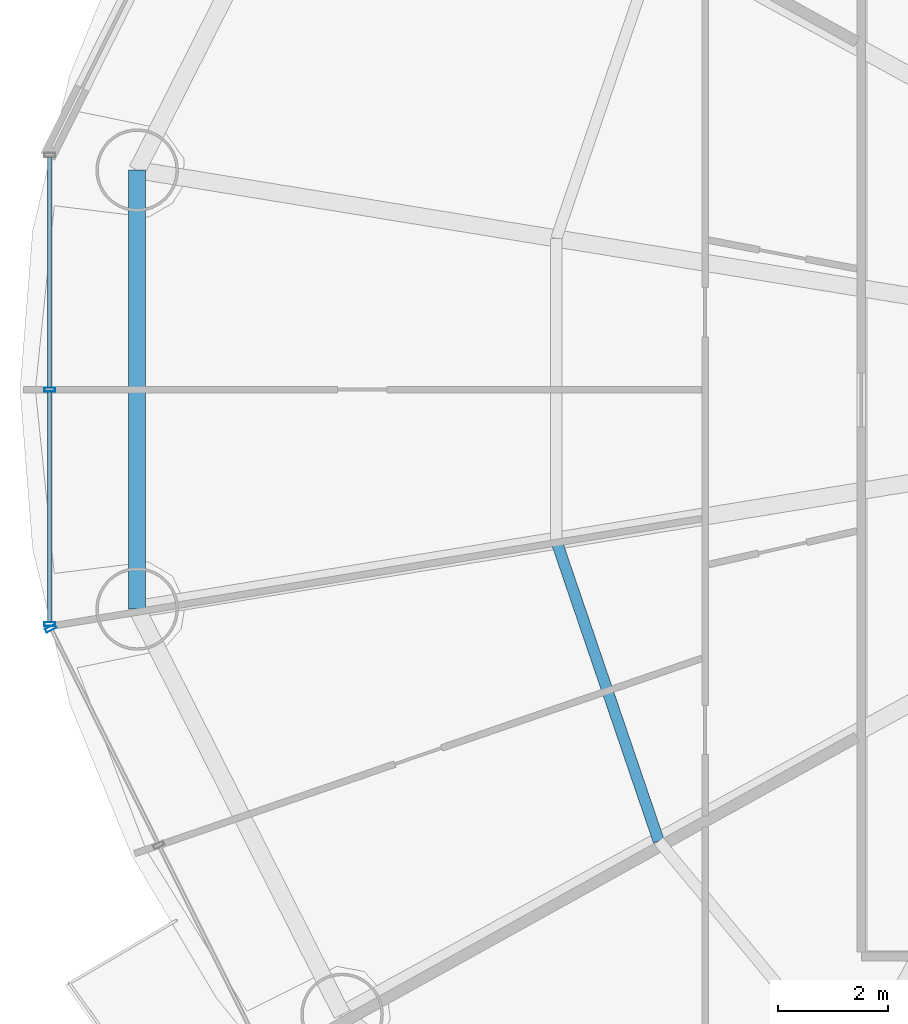
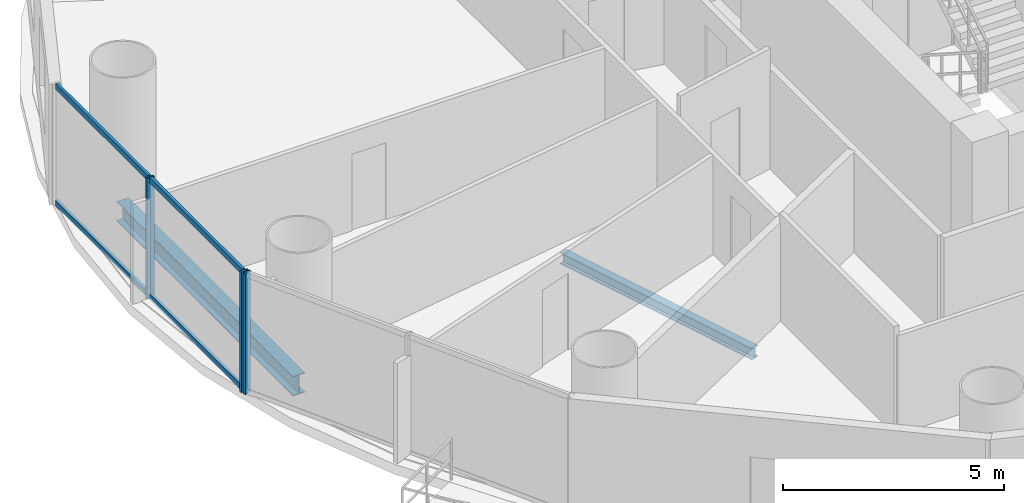
# One storey, part 6 of 28: 7 members, 2 beams, 2 elements without a shape of their own.
"""IFC4 building model written with IfcOpenShell, lengths in metres."""

from ifc_helpers import new_model, si_unit, direction, frame, origin, origin_2d, place, context, subcontext, project, spatial, hollow_rectangle, i_section, extrude, source, transform, mapped, material, material_profile, profile_set, type_object, element, aggregate, save


model = new_model("IFC4")

# Units and contexts
model_context = context("Model", 3, precision=1e-05, world=origin(), true_north=direction((-0.2419218956, 0.970295726276)))
body_context = subcontext(model_context, "Body", "Model", "MODEL_VIEW")
ifc_project = project(units=[si_unit("LENGTHUNIT", "METRE"), si_unit("AREAUNIT", "SQUARE_METRE"), si_unit("VOLUMEUNIT", "CUBIC_METRE"), si_unit("PLANEANGLEUNIT", "RADIAN"), si_unit("MASSUNIT", "GRAM", prefix="KILO")], contexts=[model_context])

# Site, building, storey
site_placement = place(None, origin())
site = spatial("IfcSite", under=ifc_project, at=site_placement, CompositionType="ELEMENT")
building_placement = place(site_placement, origin())
building = spatial("IfcBuilding", under=site, at=building_placement, Name="Cobrevalo Terracotta Tower", CompositionType="ELEMENT")
storey_placement = place(building_placement, frame((0.0, 0.0, 105.0)))
storey = spatial("IfcBuildingStorey", under=building, at=storey_placement, Name="L27", CompositionType="ELEMENT", Elevation=105.0)

# Beams
ifc_material_1 = material(Name="Steel S355", Category="steel")
ifc_material_profile_1 = material_profile(ifc_material_1, i_section(OverallWidth=0.2041015625, OverallDepth=0.305908203125, WebThickness=0.008544921875, FlangeThickness=0.0146484375, at=origin_2d()), Name="W 310x67")
ifc_profile_set_1 = profile_set([ifc_material_profile_1], Name="Steel S355")
beam_type_1 = type_object("IfcBeamType", Name="Structural Joist W 310x67 (Steel S355)", PredefinedType="JOIST", material=ifc_profile_set_1)
beam_1_placement = place(storey_placement, frame((21.149658203125, 24.052734375, -0.427978515625), z_axis=(0.322846227919, -0.946451431991, 0.0), x_axis=(0.946451431991, 0.322846227919, 0.0)))
element("IfcBeam", 1, at=beam_1_placement, inside=storey, type_object=beam_type_1, Name="L27 circumferential secondary floor joist 09", PredefinedType="JOIST", context=body_context, shape_type="SweptSolid", body=[
    extrude(i_section(OverallWidth=0.2041015625, OverallDepth=0.305908203125, WebThickness=0.008544921875, FlangeThickness=0.0146484375, at=origin_2d()), origin(), (0.0, 0.0, 1.0), 5.77001953125),
])
ifc_material_profile_2 = material_profile(ifc_material_1, i_section(OverallWidth=0.31201171875, OverallDepth=0.54296875, WebThickness=0.0126953125, FlangeThickness=0.020263671875, at=origin_2d()), Name="W 530x150")
ifc_profile_set_2 = profile_set([ifc_material_profile_2], Name="Steel S355")
beam_type_2 = type_object("IfcBeamType", Name="Structural Spandrel W 530x150 (Steel S355)", PredefinedType="SPANDREL", material=ifc_profile_set_2)
beam_2_placement = place(storey_placement, frame((13.529296875, 30.78955078125, -0.54638671875), z_axis=(0.0, -1.0, 0.0), x_axis=(1.0, 0.0, 0.0)))
element("IfcBeam", 2, at=beam_2_placement, inside=storey, type_object=beam_type_2, Name="L27 perimeter ring spandrel 08", PredefinedType="SPANDREL", context=body_context, shape_type="SweptSolid", body=[
    extrude(i_section(OverallWidth=0.31201171875, OverallDepth=0.54296875, WebThickness=0.0126953125, FlangeThickness=0.020263671875, at=origin_2d()), origin(), (0.0, 0.0, 1.0), 7.979248046875),
])

# Curtain wall, members
ifc_material_2 = material(Name="Anodized aluminium", Category="aluminium")
curtain_wall_type = type_object("IfcCurtainWallType", Name="Lower-tower unitised acoustic low-E curtain wall CW-U1", PredefinedType="NOTDEFINED", material=ifc_material_2)
curtain_wall_1_placement = place(storey_placement, origin())
curtain_wall_1 = element("IfcCurtainWall", 3, at=curtain_wall_1_placement, inside=storey, type_object=curtain_wall_type, Name="L27 curtain wall CW-L27-S08", PredefinedType="NOTDEFINED")
ifc_material_profile_3 = material_profile(ifc_material_2, hollow_rectangle(XDim=0.074951171875, YDim=0.14990234375, WallThickness=0.00439453125, at=origin_2d()), Name="CWT 75x150")
ifc_profile_set_3 = profile_set([ifc_material_profile_3], Name="Anodized aluminium")
member_type_1 = type_object("IfcMemberType", Name="Tower unitised aluminium transom 75x150", PredefinedType="USERDEFINED", material=ifc_profile_set_3)
shared_shape_1 = source(origin(), body_context, "Body", "SweptSolid", [
    extrude(hollow_rectangle(XDim=0.074951171875, YDim=0.14990234375, WallThickness=0.00439453125, at=origin_2d()), origin(), (0.0, 0.0, 1.0), 4.185546875),
])
member_1_placement = place(storey_placement, frame((11.9404296875, 31.025634765625, 0.050048828125), z_axis=(0.0, -1.0, 0.0), x_axis=(1.0, 0.0, 0.0)))
member_1 = element("IfcMember", 4, at=member_1_placement, type_object=member_type_1, Name="CW-L27-S08 transom B01-T1", ObjectType="TRANSOM", PredefinedType="USERDEFINED", context=body_context, shape_type="MappedRepresentation", body=[
    mapped(shared_shape_1, transform((0.0, 0.0, 0.0), scale=1.0)),
])
member_2_placement = place(storey_placement, frame((11.9404296875, 31.025634765625, 3.27490234375), z_axis=(0.0, -1.0, 0.0), x_axis=(1.0, 0.0, 0.0)))
member_2 = element("IfcMember", 5, at=member_2_placement, type_object=member_type_1, Name="CW-L27-S08 transom B01-T2", ObjectType="TRANSOM", PredefinedType="USERDEFINED", context=body_context, shape_type="MappedRepresentation", body=[
    mapped(shared_shape_1, transform((0.0, 0.0, 0.0), scale=1.0)),
])
member_3_placement = place(storey_placement, frame((11.9404296875, 26.760009765625, 0.050048828125), z_axis=(0.0, -1.0, 0.0), x_axis=(1.0, 0.0, 0.0)))
member_3 = element("IfcMember", 6, at=member_3_placement, type_object=member_type_1, Name="CW-L27-S08 transom B02-T1", ObjectType="TRANSOM", PredefinedType="USERDEFINED", context=body_context, shape_type="MappedRepresentation", body=[
    mapped(shared_shape_1, transform((0.0, 0.0, 0.0), scale=1.0)),
])
member_4_placement = place(storey_placement, frame((11.9404296875, 26.760009765625, 3.27490234375), z_axis=(0.0, -1.0, 0.0), x_axis=(1.0, 0.0, 0.0)))
member_4 = element("IfcMember", 7, at=member_4_placement, type_object=member_type_1, Name="CW-L27-S08 transom B02-T2", ObjectType="TRANSOM", PredefinedType="USERDEFINED", context=body_context, shape_type="MappedRepresentation", body=[
    mapped(shared_shape_1, transform((0.0, 0.0, 0.0), scale=1.0)),
])
ifc_material_profile_4 = material_profile(ifc_material_2, hollow_rectangle(XDim=0.074951171875, YDim=0.199951171875, WallThickness=0.0048828125, at=origin_2d()), Name="CWM 75x200")
ifc_profile_set_4 = profile_set([ifc_material_profile_4], Name="Anodized aluminium")
member_type_2 = type_object("IfcMemberType", Name="Lower/mid tower unitised mullion 75x200", PredefinedType="MULLION", material=ifc_profile_set_4)
shared_shape_2 = source(origin(), body_context, "Body", "SweptSolid", [
    extrude(hollow_rectangle(XDim=0.074951171875, YDim=0.199951171875, WallThickness=0.0048828125, at=origin_2d()), origin(), (0.0, 0.0, 1.0), 3.324951171875),
])
member_5_placement = place(storey_placement, frame((11.9404296875, 26.800048828125, 0.0), z_axis=(0.0, 0.0, 1.0), x_axis=(0.0, -1.0, 0.0)))
member_5 = element("IfcMember", 8, at=member_5_placement, type_object=member_type_2, Name="CW-L27-S08 vertical mullion 02", PredefinedType="MULLION", context=body_context, shape_type="MappedRepresentation", body=[
    mapped(shared_shape_2, transform((0.0, 0.0, 0.0), scale=1.0)),
])
member_6_placement = place(storey_placement, frame((11.9404296875, 22.534423828125, 0.0), z_axis=(0.0, 0.0, 1.0), x_axis=(0.0, -1.0, 0.0)))
member_6 = element("IfcMember", 9, at=member_6_placement, type_object=member_type_2, Name="CW-L27-S08 vertical mullion 03", PredefinedType="MULLION", context=body_context, shape_type="MappedRepresentation", body=[
    mapped(shared_shape_2, transform((0.0, 0.0, 0.0), scale=1.0)),
])
aggregate(curtain_wall_1, [member_5, member_6, member_1, member_2, member_3, member_4])

# Curtain wall, member
curtain_wall_2_placement = place(storey_placement, origin())
curtain_wall_2 = element("IfcCurtainWall", 10, at=curtain_wall_2_placement, inside=storey, type_object=curtain_wall_type, Name="L27 curtain wall CW-L27-S09", PredefinedType="NOTDEFINED")
member_7_placement = place(storey_placement, frame((11.95849609375, 22.45849609375, 0.0), z_axis=(0.0, 0.0, 1.0), x_axis=(0.446260290227, -0.894903208937, 0.0)))
member_7 = element("IfcMember", 11, at=member_7_placement, type_object=member_type_2, Name="CW-L27-S09 vertical mullion 01", PredefinedType="MULLION", context=body_context, shape_type="MappedRepresentation", body=[
    mapped(shared_shape_2, transform((0.0, 0.0, 0.0), scale=1.0)),
])
aggregate(curtain_wall_2, [member_7])

save(model, "model.ifc")
